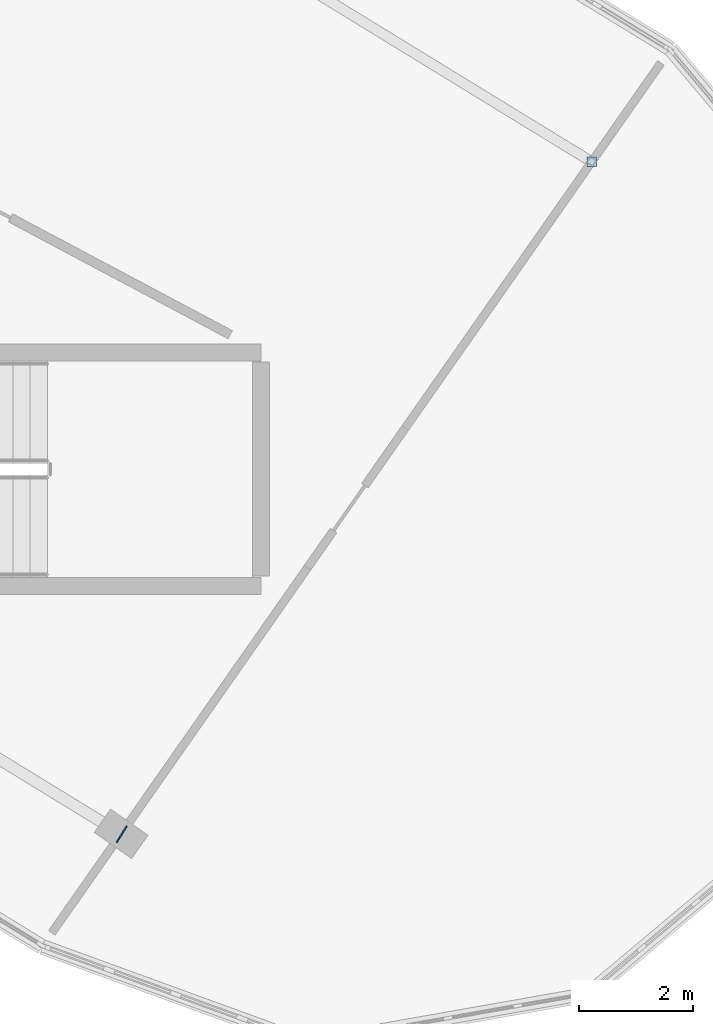
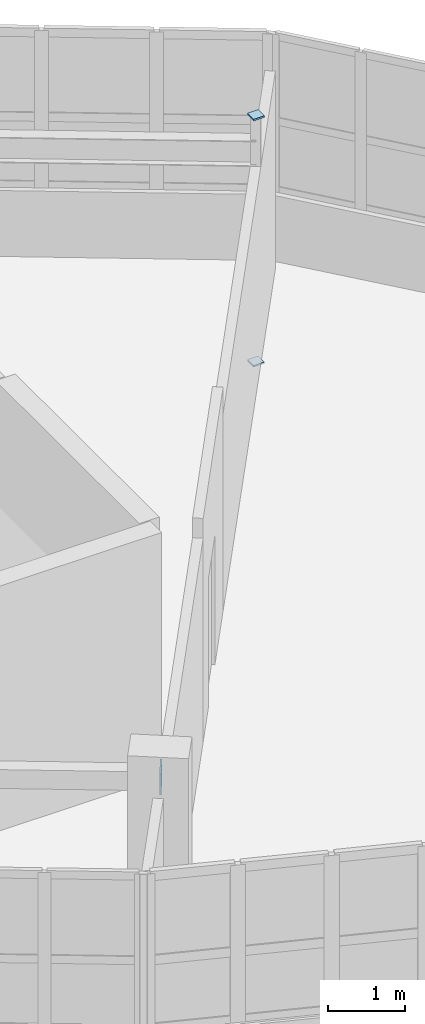
# One storey, part 51 of 65: 3 plates.
"""IFC4 building model written with IfcOpenShell, lengths in metres."""

from ifc_helpers import new_model, si_unit, direction, frame, origin, origin_2d, place, context, subcontext, project, spatial, rectangle, extrude, material, layer, layer_set, type_object, element, save


model = new_model("IFC4")

# Units and contexts
model_context = context("Model", 3, precision=1e-05, world=origin(), true_north=direction((0.0, 1.0)))
body_context = subcontext(model_context, "Body", "Model", "MODEL_VIEW")
ifc_project = project(units=[si_unit("LENGTHUNIT", "METRE"), si_unit("AREAUNIT", "SQUARE_METRE"), si_unit("VOLUMEUNIT", "CUBIC_METRE"), si_unit("PLANEANGLEUNIT", "RADIAN"), si_unit("MASSUNIT", "GRAM", prefix="KILO")], contexts=[model_context])

# Site, building, storey
site_placement = place(None, origin())
site = spatial("IfcSite", under=ifc_project, at=site_placement, CompositionType="ELEMENT")
building_placement = place(site_placement, origin())
building = spatial("IfcBuilding", under=site, at=building_placement, Name="Tarnwether General Hospital", CompositionType="ELEMENT")
storey_placement = place(building_placement, frame((0.0, 0.0, 22.199951171875)))
storey = spatial("IfcBuildingStorey", under=building, at=storey_placement, Name="L05", CompositionType="ELEMENT", Elevation=22.199951171875)

# Plates
ifc_material = material(Name="Steel Grade 350 (350 MPa)", Category="steel")
ifc_layer = layer(ifc_material, 0.02490234375)
ifc_layer_set = layer_set([ifc_layer], Name="Steel Grade 350 (350 MPa)")
plate_type = type_object("IfcPlateType", Name="PT-GUS2", PredefinedType="USERDEFINED", material=ifc_layer_set)
for number, where, z_axis, x_axis, name in (
    (1, (125.9560546875, 111.493896484375, -0.02490234375), (0.0, 0.0, 1.0), (1.0, 0.0, 0.0), "Hollow Section Welded End Cap Plate 0603"),
    (2, (125.9560546875, 111.493896484375, 3.900146484375), (0.0, 0.0, 1.0), (1.0, 0.0, 0.0), "Hollow Section Welded End Cap Plate 0604"),
):
    element("IfcPlate", number, at=place(storey_placement, frame(where, z_axis=z_axis, x_axis=x_axis)), inside=storey, type_object=plate_type, Name=name, ObjectType="GUSSET", PredefinedType="USERDEFINED", context=body_context, shape_type="SweptSolid", body=[
        extrude(rectangle(XDim=0.1650390625, YDim=0.1650390625, at=origin_2d()), origin(), (0.0, 0.0, 1.0), 0.02490234375),
    ])
plate_placement = place(storey_placement, frame((117.706787109375, 99.69140625, 3.240234375), z_axis=(0.0, 0.0, 1.0), x_axis=(0.852649283545, -0.522483683258, 0.0)))
element("IfcPlate", 3, at=plate_placement, inside=storey, type_object=plate_type, Name="Hollow Section Welded End Cap Plate 1058", ObjectType="GUSSET", PredefinedType="USERDEFINED", context=body_context, shape_type="SweptSolid", body=[
    extrude(rectangle(XDim=0.02490234375, YDim=0.340087890625, at=origin_2d()), origin(), (0.0, 0.0, 1.0), 0.340087890625),
])

save(model, "model.ifc")
